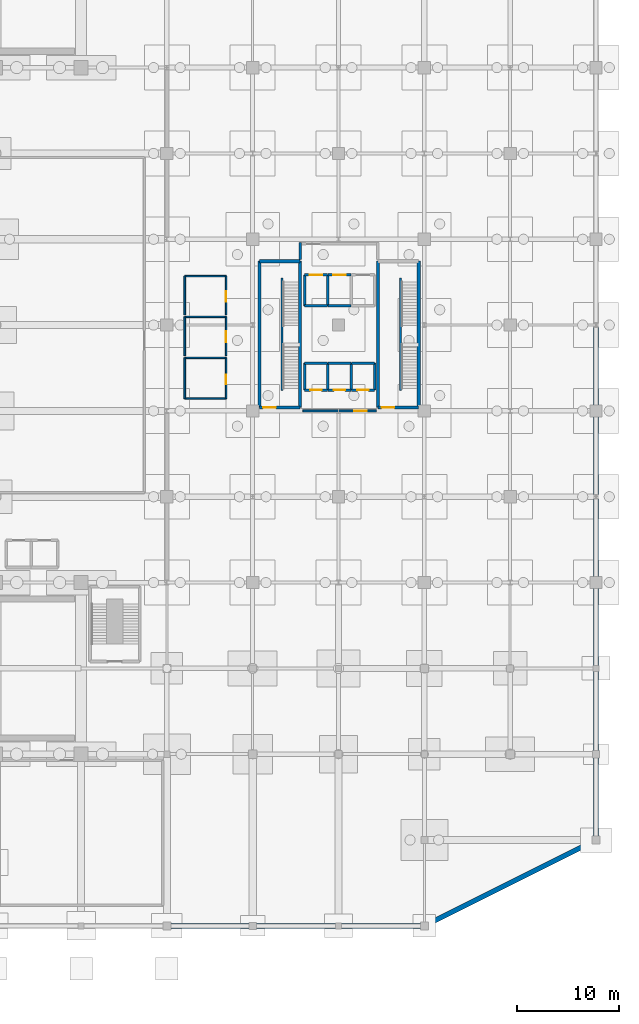
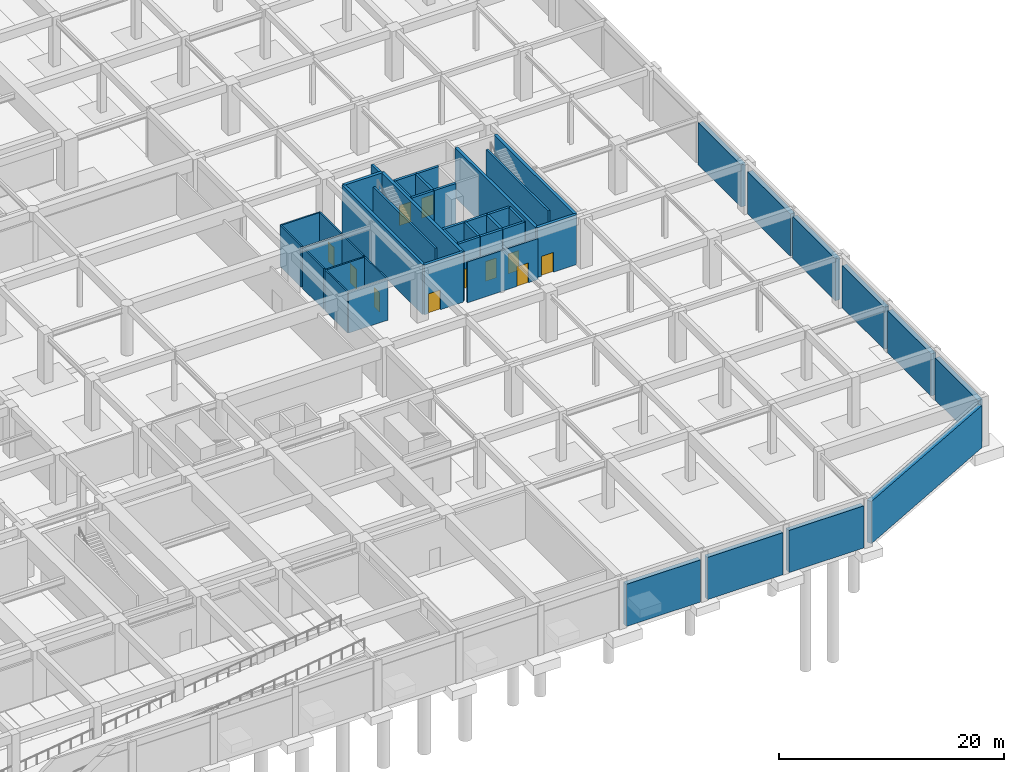
# One storey, part 23 of 26: 47 walls, 11 doors, 11 openings.
"""IFC4 building model written with IfcOpenShell, lengths in metres."""

from ifc_helpers import new_model, si_unit, direction, frame, frame_2d, origin, place, context, subcontext, project, spatial, rectangle, extrude, material, layer, layer_set, type_object, element, fill, save


model = new_model("IFC4")

# Units and contexts
model_context = context("Model", 3, precision=1e-05, world=origin(), true_north=direction((0.0, 1.0)))
body_context = subcontext(model_context, "Body", "Model", "MODEL_VIEW")
ifc_project = project(units=[si_unit("LENGTHUNIT", "METRE"), si_unit("AREAUNIT", "SQUARE_METRE"), si_unit("VOLUMEUNIT", "CUBIC_METRE"), si_unit("PLANEANGLEUNIT", "RADIAN"), si_unit("MASSUNIT", "GRAM", prefix="KILO")], contexts=[model_context])

# Site, building, storey
site_placement = place(None, origin())
site = spatial("IfcSite", under=ifc_project, at=site_placement, CompositionType="ELEMENT")
building_placement = place(site_placement, origin())
building = spatial("IfcBuilding", under=site, at=building_placement, Name="Xuanlan Plaza Opera House", CompositionType="ELEMENT")
storey_placement = place(building_placement, frame((0.0, 0.0, -5.39990234375)))
storey = spatial("IfcBuildingStorey", under=building, at=storey_placement, Name="B01", CompositionType="ELEMENT", Elevation=-5.39990234375)

# Walls
ifc_material_1 = material(Name="Concrete C50", Category="concrete")
ifc_layer_1 = layer(ifc_material_1, 0.47998046875)
ifc_layer_set_1 = layer_set([ifc_layer_1], Name="Concrete C50")
wall_type_1 = type_object("IfcWallType", Name="ENV-WL-EW-B01", PredefinedType="SHEAR", material=ifc_layer_set_1)
wall_1_placement = place(storey_placement, frame((126.39990234375, 0.0, 0.0), z_axis=(0.0, 0.0, 1.0), x_axis=(1.0, 0.0, 0.0)))
element("IfcWall", 1, at=wall_1_placement, inside=storey, type_object=wall_type_1, Name="Exterior Wall B01-014", PredefinedType="SHEAR", context=body_context, shape_type="SweptSolid", body=[
    extrude(rectangle(XDim=7.650146484375, YDim=0.47998046875, at=frame_2d((3.8251953125, 0.0))), origin(), (0.0, 0.0, 1.0), 4.579833984375),
])
wall_2_placement = place(storey_placement, frame((134.75, 0.0, 0.0), z_axis=(0.0, 0.0, 1.0), x_axis=(1.0, 0.0, 0.0)))
element("IfcWall", 2, at=wall_2_placement, inside=storey, type_object=wall_type_1, Name="Exterior Wall B01-015", PredefinedType="SHEAR", context=body_context, shape_type="SweptSolid", body=[
    extrude(rectangle(XDim=7.75, YDim=0.47998046875, at=frame_2d((3.875, 0.0))), origin(), (0.0, 0.0, 1.0), 4.579833984375),
])
wall_3_placement = place(storey_placement, frame((143.10009765625, 0.0, 0.0), z_axis=(0.0, 0.0, 1.0), x_axis=(1.0, 0.0, 0.0)))
element("IfcWall", 3, at=wall_3_placement, inside=storey, type_object=wall_type_1, Name="Exterior Wall B01-016", PredefinedType="SHEAR", context=body_context, shape_type="SweptSolid", body=[
    extrude(rectangle(XDim=7.699951171875, YDim=0.47998046875, at=frame_2d((3.85009765625, 0.0))), origin(), (0.0, 0.0, 1.0), 4.579833984375),
])
wall_4_placement = place(storey_placement, frame((151.60009765625, 0.199951171875, 0.0), z_axis=(0.0, 0.0, 1.0), x_axis=(0.894427191, 0.4472135955, 0.0)))
element("IfcWall", 4, at=wall_4_placement, inside=storey, type_object=wall_type_1, Name="Exterior Wall B01-017", PredefinedType="SHEAR", context=body_context, shape_type="SweptSolid", body=[
    extrude(rectangle(XDim=17.888427734375, YDim=0.47998046875, at=frame_2d((8.9443359375, 0.0))), origin(), (0.0, 0.0, 1.0), 4.579833984375),
])
wall_5_placement = place(storey_placement, frame((168.0, 8.800048828125, 0.0), z_axis=(0.0, 0.0, 1.0), x_axis=(0.0, 1.0, 0.0)))
element("IfcWall", 5, at=wall_5_placement, inside=storey, type_object=wall_type_1, Name="Exterior Wall B01-018", PredefinedType="SHEAR", context=body_context, shape_type="SweptSolid", body=[
    extrude(rectangle(XDim=7.64990234375, YDim=0.47998046875, at=frame_2d((3.824951171875, 0.0))), origin(), (0.0, 0.0, 1.0), 4.579833984375),
])
wall_6_placement = place(storey_placement, frame((168.0, 17.14990234375, 0.0), z_axis=(0.0, 0.0, 1.0), x_axis=(0.0, 1.0, 0.0)))
element("IfcWall", 6, at=wall_6_placement, inside=storey, type_object=wall_type_1, Name="Exterior Wall B01-019", PredefinedType="SHEAR", context=body_context, shape_type="SweptSolid", body=[
    extrude(rectangle(XDim=7.75, YDim=0.47998046875, at=frame_2d((3.875, 0.0))), origin(), (0.0, 0.0, 1.0), 4.579833984375),
])
wall_7_placement = place(storey_placement, frame((168.0, 25.5, 0.0), z_axis=(0.0, 0.0, 1.0), x_axis=(0.0, 1.0, 0.0)))
element("IfcWall", 7, at=wall_7_placement, inside=storey, type_object=wall_type_1, Name="Exterior Wall B01-020", PredefinedType="SHEAR", context=body_context, shape_type="SweptSolid", body=[
    extrude(rectangle(XDim=7.5, YDim=0.47998046875, at=frame_2d((3.75, 0.0))), origin(), (0.0, 0.0, 1.0), 4.579833984375),
])
for number, where, z_axis, x_axis, name in (
    (8, (168.0, 34.199951171875, 0.0), (0.0, 0.0, 1.0), (0.0, 1.0, 0.0), "Exterior Wall B01-021"),
    (9, (168.0, 42.20703125, 0.0), (0.0, 0.0, 1.0), (0.0, 1.0, 0.0), "Exterior Wall B01-022"),
    (10, (168.0, 51.0, 0.0), (0.0, 0.0, 1.0), (0.0, 1.0, 0.0), "Exterior Wall B01-023"),
):
    element("IfcWall", number, at=place(storey_placement, frame(where, z_axis=z_axis, x_axis=x_axis)), inside=storey, type_object=wall_type_1, Name=name, PredefinedType="SHEAR", context=body_context, shape_type="SweptSolid", body=[
        extrude(rectangle(XDim=7.593017578125, YDim=0.47998046875, at=frame_2d((3.79638671875, 0.0))), origin(), (0.0, 0.0, 1.0), 4.579833984375),
    ])

# Wall, opening, door
ifc_material_2 = material(Name="Gypsum Board and Galvanised Steel Studs", Category="gypsum")
ifc_layer_2 = layer(ifc_material_2, 0.179931640625)
ifc_layer_set_2 = layer_set([ifc_layer_2], Name="Gypsum Board and Galvanised Steel Studs")
wall_type_2 = type_object("IfcWallType", Name="INT-WL-PW-02", PredefinedType="PARTITIONING", material=ifc_layer_set_2)
wall_8_placement = place(storey_placement, frame((139.300048828125, 50.39990234375, 0.0), z_axis=(0.0, 0.0, 1.0), x_axis=(1.0, 0.0, 0.0)))
wall_8 = element("IfcWall", 11, at=wall_8_placement, inside=storey, type_object=wall_type_2, Name="Tower Lift Lobby Wall South", PredefinedType="PARTITIONING", context=body_context, shape_type="SweptSolid", body=[
    extrude(rectangle(XDim=7.199951171875, YDim=0.179931640625, at=frame_2d((3.60009765625, 0.0))), origin(), (0.0, 0.0, 1.0), 4.43994140625),
])
opening_1_placement = place(wall_8_placement, frame((5.050048828125, 0.0, 0.0)))
opening_1 = element("IfcOpeningElement", 12, at=opening_1_placement, cuts=wall_8, Name="Opening FD-02", PredefinedType="OPENING", context=body_context, shape_type="SweptSolid", body=[
    extrude(rectangle(XDim=1.199951171875, YDim=2.14990234375, at=frame_2d((0.60009765625, 1.074951171875))), frame((0.0, 0.099853515625, 0.0), z_axis=(0.0, -1.0, 0.0), x_axis=(1.0, 0.0, 0.0)), (0.0, 0.0, 1.0), 0.199951171875),
])
ifc_material_3 = material(Name="Galvanised Steel Q235B", Category="steel")
door_type_1 = type_object("IfcDoorType", Name="INT-DR-FD-02", OperationType="NOTDEFINED", PredefinedType="DOOR", material=ifc_material_3)
door_1_placement = place(opening_1_placement, frame((1.199951171875, 0.0, 0.0), z_axis=(0.0, 0.0, 1.0), x_axis=(-1.0, 0.0, 0.0)))
door_1 = element("IfcDoor", 13, at=door_1_placement, inside=storey, type_object=door_type_1, Name="Tower Lift Lobby Door 1", OperationType="SINGLE_SWING_RIGHT", OverallHeight=2.14990234375, OverallWidth=1.199951171875, PredefinedType="DOOR", context=body_context, shape_type="SweptSolid", body=[
    extrude(rectangle(XDim=1.199951171875, YDim=2.14990234375, at=frame_2d((0.60009765625, 1.074951171875))), frame((0.0, 0.02490234375, 0.0), z_axis=(0.0, -1.0, 0.0), x_axis=(1.0, 0.0, 0.0)), (0.0, 0.0, 1.0), 0.050048828125),
])
fill(opening_1, door_1)

# Walls
ifc_material_4 = material(Name="Autoclaved Aerated Blockwork Masonry", Category="masonry")
ifc_layer_3 = layer(ifc_material_4, 0.14990234375)
ifc_layer_set_3 = layer_set([ifc_layer_3], Name="Autoclaved Aerated Blockwork Masonry")
wall_type_3 = type_object("IfcWallType", Name="INT-WL-PW-03", PredefinedType="PARTITIONING", material=ifc_layer_set_3)
for number, where, z_axis, x_axis, name in (
    (14, (127.75, 51.60009765625, 0.0), (0.0, 0.0, 1.0), (1.0, 0.0, 0.0), "Public WC Wall South"),
    (15, (127.75, 55.60009765625, 0.0), (0.0, 0.0, 1.0), (1.0, 0.0, 0.0), "Public WC Wall North"),
):
    element("IfcWall", number, at=place(storey_placement, frame(where, z_axis=z_axis, x_axis=x_axis)), inside=storey, type_object=wall_type_3, Name=name, PredefinedType="PARTITIONING", context=body_context, shape_type="SweptSolid", body=[
        extrude(rectangle(XDim=4.050048828125, YDim=0.14990234375, at=frame_2d((2.02490234375, 0.0))), origin(), (0.0, 0.0, 1.0), 4.43994140625),
    ])
wall_9_placement = place(storey_placement, frame((127.75, 51.60009765625, 0.0), z_axis=(0.0, 0.0, 1.0), x_axis=(0.0, 1.0, 0.0)))
element("IfcWall", 16, at=wall_9_placement, inside=storey, type_object=wall_type_3, Name="Public WC Wall West", PredefinedType="PARTITIONING", context=body_context, shape_type="SweptSolid", body=[
    extrude(rectangle(XDim=4.0, YDim=0.14990234375, at=frame_2d((2.0, 0.0))), origin(), (0.0, 0.0, 1.0), 4.43994140625),
])

# Wall, opening, door
wall_10_placement = place(storey_placement, frame((131.800048828125, 51.60009765625, 0.0), z_axis=(0.0, 0.0, 1.0), x_axis=(0.0, 1.0, 0.0)))
wall_10 = element("IfcWall", 17, at=wall_10_placement, inside=storey, type_object=wall_type_3, Name="Public WC Wall East", PredefinedType="PARTITIONING", context=body_context, shape_type="SweptSolid", body=[
    extrude(rectangle(XDim=4.0, YDim=0.14990234375, at=frame_2d((2.0, 0.0))), origin(), (0.0, 0.0, 1.0), 4.43994140625),
])
opening_2_placement = place(wall_10_placement, frame((1.39990234375, 0.0, 0.0)))
opening_2 = element("IfcOpeningElement", 18, at=opening_2_placement, cuts=wall_10, Name="Opening D-01", PredefinedType="OPENING", context=body_context, shape_type="SweptSolid", body=[
    extrude(rectangle(XDim=0.949951171875, YDim=2.10009765625, at=frame_2d((0.47509765625, 1.050048828125))), frame((0.0, 0.0849609375, 0.0), z_axis=(0.0, -1.0, 0.0), x_axis=(1.0, 0.0, 0.0)), (0.0, 0.0, 1.0), 0.169921875),
])
ifc_material_5 = material(Name="Walnut Hardwood Timber", Category="wood")
door_type_2 = type_object("IfcDoorType", Name="INT-DR-D-01", OperationType="NOTDEFINED", PredefinedType="DOOR", material=ifc_material_5)
door_2_placement = place(opening_2_placement, origin())
door_2 = element("IfcDoor", 19, at=door_2_placement, inside=storey, type_object=door_type_2, Name="Public WC Door 1", OperationType="SINGLE_SWING_RIGHT", OverallHeight=2.10009765625, OverallWidth=0.949951171875, PredefinedType="DOOR", context=body_context, shape_type="SweptSolid", body=[
    extrude(rectangle(XDim=0.949951171875, YDim=2.10009765625, at=frame_2d((0.47509765625, 1.050048828125))), frame((0.0, 0.02490234375, 0.0), z_axis=(0.0, -1.0, 0.0), x_axis=(1.0, 0.0, 0.0)), (0.0, 0.0, 1.0), 0.050048828125),
])
fill(opening_2, door_2)

# Walls
wall_11_placement = place(storey_placement, frame((127.75, 59.60009765625, 0.0), z_axis=(0.0, 0.0, 1.0), x_axis=(1.0, 0.0, 0.0)))
element("IfcWall", 20, at=wall_11_placement, inside=storey, type_object=wall_type_3, Name="Staff WC Wall North", PredefinedType="PARTITIONING", context=body_context, shape_type="SweptSolid", body=[
    extrude(rectangle(XDim=4.050048828125, YDim=0.14990234375, at=frame_2d((2.02490234375, 0.0))), origin(), (0.0, 0.0, 1.0), 4.43994140625),
])
wall_12_placement = place(storey_placement, frame((127.75, 55.800048828125, 0.0), z_axis=(0.0, 0.0, 1.0), x_axis=(0.0, 1.0, 0.0)))
element("IfcWall", 21, at=wall_12_placement, inside=storey, type_object=wall_type_3, Name="Staff WC Wall West", PredefinedType="PARTITIONING", context=body_context, shape_type="SweptSolid", body=[
    extrude(rectangle(XDim=3.800048828125, YDim=0.14990234375, at=frame_2d((1.89990234375, 0.0))), origin(), (0.0, 0.0, 1.0), 4.43994140625),
])

# Wall, opening, door
wall_13_placement = place(storey_placement, frame((131.800048828125, 55.800048828125, 0.0), z_axis=(0.0, 0.0, 1.0), x_axis=(0.0, 1.0, 0.0)))
wall_13 = element("IfcWall", 22, at=wall_13_placement, inside=storey, type_object=wall_type_3, Name="Staff WC Wall East", PredefinedType="PARTITIONING", context=body_context, shape_type="SweptSolid", body=[
    extrude(rectangle(XDim=3.800048828125, YDim=0.14990234375, at=frame_2d((1.89990234375, 0.0))), origin(), (0.0, 0.0, 1.0), 4.43994140625),
])
opening_3_placement = place(wall_13_placement, frame((1.300048828125, 0.0, 0.0)))
opening_3 = element("IfcOpeningElement", 23, at=opening_3_placement, cuts=wall_13, Name="Opening D-10", PredefinedType="OPENING", context=body_context, shape_type="SweptSolid", body=[
    extrude(rectangle(XDim=1.1201171875, YDim=2.139892578125, at=frame_2d((0.56005859375, 1.06982421875))), frame((0.0, 0.0849609375, 0.0), z_axis=(0.0, -1.0, 0.0), x_axis=(1.0, 0.0, 0.0)), (0.0, 0.0, 1.0), 0.169921875),
])
ifc_material_6 = material(Name="Oak Hardwood Timber", Category="wood")
door_type_3 = type_object("IfcDoorType", Name="INT-DR-D-10", OperationType="NOTDEFINED", PredefinedType="DOOR", material=ifc_material_6)
door_3_placement = place(opening_3_placement, origin())
door_3 = element("IfcDoor", 24, at=door_3_placement, inside=storey, type_object=door_type_3, Name="Staff WC Door 1", OperationType="SINGLE_SWING_LEFT", OverallHeight=2.139892578125, OverallWidth=1.1201171875, PredefinedType="DOOR", context=body_context, shape_type="SweptSolid", body=[
    extrude(rectangle(XDim=1.1201171875, YDim=2.139892578125, at=frame_2d((0.56005859375, 1.06982421875))), frame((0.0, 0.02490234375, 0.0), z_axis=(0.0, -1.0, 0.0), x_axis=(1.0, 0.0, 0.0)), (0.0, 0.0, 1.0), 0.050048828125),
])
fill(opening_3, door_3)

# Walls
wall_14_placement = place(storey_placement, frame((127.75, 63.60009765625, 0.0), z_axis=(0.0, 0.0, 1.0), x_axis=(1.0, 0.0, 0.0)))
element("IfcWall", 25, at=wall_14_placement, inside=storey, type_object=wall_type_3, Name="Accessible WC Wall North", PredefinedType="PARTITIONING", context=body_context, shape_type="SweptSolid", body=[
    extrude(rectangle(XDim=4.050048828125, YDim=0.14990234375, at=frame_2d((2.02490234375, 0.0))), origin(), (0.0, 0.0, 1.0), 4.43994140625),
])
wall_15_placement = place(storey_placement, frame((127.75, 59.800048828125, 0.0), z_axis=(0.0, 0.0, 1.0), x_axis=(0.0, 1.0, 0.0)))
element("IfcWall", 26, at=wall_15_placement, inside=storey, type_object=wall_type_3, Name="Accessible WC Wall West", PredefinedType="PARTITIONING", context=body_context, shape_type="SweptSolid", body=[
    extrude(rectangle(XDim=3.800048828125, YDim=0.14990234375, at=frame_2d((1.89990234375, 0.0))), origin(), (0.0, 0.0, 1.0), 4.43994140625),
])

# Wall, opening, door
wall_16_placement = place(storey_placement, frame((131.800048828125, 59.800048828125, 0.0), z_axis=(0.0, 0.0, 1.0), x_axis=(0.0, 1.0, 0.0)))
wall_16 = element("IfcWall", 27, at=wall_16_placement, inside=storey, type_object=wall_type_3, Name="Accessible WC Wall East", PredefinedType="PARTITIONING", context=body_context, shape_type="SweptSolid", body=[
    extrude(rectangle(XDim=3.800048828125, YDim=0.14990234375, at=frame_2d((1.89990234375, 0.0))), origin(), (0.0, 0.0, 1.0), 4.43994140625),
])
opening_4_placement = place(wall_16_placement, frame((1.300048828125, 0.0, 0.0)))
opening_4 = element("IfcOpeningElement", 28, at=opening_4_placement, cuts=wall_16, Name="Opening D-02", PredefinedType="OPENING", context=body_context, shape_type="SweptSolid", body=[
    extrude(rectangle(XDim=1.02001953125, YDim=2.10009765625, at=frame_2d((0.510009765625, 1.050048828125))), frame((0.0, 0.0849609375, 0.0), z_axis=(0.0, -1.0, 0.0), x_axis=(1.0, 0.0, 0.0)), (0.0, 0.0, 1.0), 0.169921875),
])
door_type_4 = type_object("IfcDoorType", Name="INT-DR-D-02", OperationType="NOTDEFINED", PredefinedType="DOOR", material=ifc_material_6)
door_4_placement = place(opening_4_placement, origin())
door_4 = element("IfcDoor", 29, at=door_4_placement, inside=storey, type_object=door_type_4, Name="Accessible WC Door 1", OperationType="SINGLE_SWING_RIGHT", OverallHeight=2.10009765625, OverallWidth=1.02001953125, PredefinedType="DOOR", context=body_context, shape_type="SweptSolid", body=[
    extrude(rectangle(XDim=1.02001953125, YDim=2.10009765625, at=frame_2d((0.510009765625, 1.050048828125))), frame((0.0, 0.02490234375, 0.0), z_axis=(0.0, -1.0, 0.0), x_axis=(1.0, 0.0, 0.0)), (0.0, 0.0, 1.0), 0.050048828125),
])
fill(opening_4, door_4)

# Wall
ifc_material_7 = material(Name="Concrete C40", Category="concrete")
ifc_layer_4 = layer(ifc_material_7, 0.25)
ifc_layer_set_4 = layer_set([ifc_layer_4], Name="Concrete C40")
wall_type_4 = type_object("IfcWallType", Name="INT-WL-SW-LF1", PredefinedType="SHEAR", material=ifc_layer_set_4)
wall_17_placement = place(storey_placement, frame((139.47509765625, 60.675048828125, 0.0), z_axis=(0.0, 0.0, 1.0), x_axis=(1.0, 0.0, 0.0)))
element("IfcWall", 30, at=wall_17_placement, inside=storey, type_object=wall_type_4, Name="Lift Shaft Wall LF-FF1 B01 South", PredefinedType="SHEAR", context=body_context, shape_type="SweptSolid", body=[
    extrude(rectangle(XDim=2.25, YDim=0.25, at=frame_2d((1.125, 0.0))), origin(), (0.0, 0.0, 1.0), 5.099853515625),
])

# Wall, opening, door
wall_18_placement = place(storey_placement, frame((139.47509765625, 63.72509765625, 0.0), z_axis=(0.0, 0.0, 1.0), x_axis=(1.0, 0.0, 0.0)))
wall_18 = element("IfcWall", 31, at=wall_18_placement, inside=storey, type_object=wall_type_4, Name="Lift Shaft Wall LF-FF1 B01 North", PredefinedType="SHEAR", context=body_context, shape_type="SweptSolid", body=[
    extrude(rectangle(XDim=2.25, YDim=0.25, at=frame_2d((1.125, 0.0))), origin(), (0.0, 0.0, 1.0), 5.099853515625),
])
opening_5_placement = place(wall_18_placement, frame((0.52490234375, 0.0, 0.0)))
opening_5 = element("IfcOpeningElement", 32, at=opening_5_placement, cuts=wall_18, Name="Opening LD-FF1-B01", PredefinedType="OPENING", context=body_context, shape_type="SweptSolid", body=[
    extrude(rectangle(XDim=1.199951171875, YDim=2.179931640625, at=frame_2d((0.60009765625, 1.08984375))), frame((0.0, 0.135009765625, 0.0), z_axis=(0.0, -1.0, 0.0), x_axis=(1.0, 0.0, 0.0)), (0.0, 0.0, 1.0), 0.27001953125),
])
ifc_material_8 = material(Name="Stainless Steel S30408", Category="steel")
door_type_5 = type_object("IfcDoorType", Name="INT-DR-LD-02", OperationType="DOUBLE_DOOR_SLIDING", PredefinedType="DOOR", material=ifc_material_8)
door_5_placement = place(opening_5_placement, origin())
door_5 = element("IfcDoor", 33, at=door_5_placement, inside=storey, type_object=door_type_5, Name="Lift Sliding Landing Door LF-FF1 B01", OperationType="DOUBLE_DOOR_SLIDING", OverallHeight=2.179931640625, OverallWidth=1.199951171875, PredefinedType="DOOR", context=body_context, shape_type="SweptSolid", body=[
    extrude(rectangle(XDim=1.199951171875, YDim=2.179931640625, at=frame_2d((0.60009765625, 1.08984375))), frame((0.0, 0.02490234375, 0.0), z_axis=(0.0, -1.0, 0.0), x_axis=(1.0, 0.0, 0.0)), (0.0, 0.0, 1.0), 0.050048828125),
])
fill(opening_5, door_5)

# Walls
for number, where, z_axis, x_axis, name in (
    (34, (139.47509765625, 60.675048828125, 0.0), (0.0, 0.0, 1.0), (0.0, 1.0, 0.0), "Lift Shaft Wall LF-FF1 B01 West"),
    (35, (141.72509765625, 60.675048828125, 0.0), (0.0, 0.0, 1.0), (0.0, 1.0, 0.0), "Lift Shaft Wall LF-FF1 B01 East"),
):
    element("IfcWall", number, at=place(storey_placement, frame(where, z_axis=z_axis, x_axis=x_axis)), inside=storey, type_object=wall_type_4, Name=name, PredefinedType="SHEAR", context=body_context, shape_type="SweptSolid", body=[
        extrude(rectangle(XDim=3.050048828125, YDim=0.25, at=frame_2d((1.52490234375, 0.0))), origin(), (0.0, 0.0, 1.0), 5.099853515625),
    ])
wall_19_placement = place(storey_placement, frame((141.77490234375, 60.675048828125, 0.0), z_axis=(0.0, 0.0, 1.0), x_axis=(1.0, 0.0, 0.0)))
element("IfcWall", 36, at=wall_19_placement, inside=storey, type_object=wall_type_4, Name="Lift Shaft Wall LF-FF2 B01 South", PredefinedType="SHEAR", context=body_context, shape_type="SweptSolid", body=[
    extrude(rectangle(XDim=2.25, YDim=0.25, at=frame_2d((1.125, 0.0))), origin(), (0.0, 0.0, 1.0), 5.099853515625),
])

# Wall, opening, door
wall_20_placement = place(storey_placement, frame((141.77490234375, 63.72509765625, 0.0), z_axis=(0.0, 0.0, 1.0), x_axis=(1.0, 0.0, 0.0)))
wall_20 = element("IfcWall", 37, at=wall_20_placement, inside=storey, type_object=wall_type_4, Name="Lift Shaft Wall LF-FF2 B01 North", PredefinedType="SHEAR", context=body_context, shape_type="SweptSolid", body=[
    extrude(rectangle(XDim=2.25, YDim=0.25, at=frame_2d((1.125, 0.0))), origin(), (0.0, 0.0, 1.0), 5.099853515625),
])
opening_6_placement = place(wall_20_placement, frame((0.52490234375, 0.0, 0.0)))
opening_6 = element("IfcOpeningElement", 38, at=opening_6_placement, cuts=wall_20, Name="Opening LD-FF2-B01", PredefinedType="OPENING", context=body_context, shape_type="SweptSolid", body=[
    extrude(rectangle(XDim=1.199951171875, YDim=2.179931640625, at=frame_2d((0.60009765625, 1.08984375))), frame((0.0, 0.135009765625, 0.0), z_axis=(0.0, -1.0, 0.0), x_axis=(1.0, 0.0, 0.0)), (0.0, 0.0, 1.0), 0.27001953125),
])
door_6_placement = place(opening_6_placement, origin())
door_6 = element("IfcDoor", 39, at=door_6_placement, inside=storey, type_object=door_type_5, Name="Lift Sliding Landing Door LF-FF2 B01", OperationType="DOUBLE_DOOR_SLIDING", OverallHeight=2.179931640625, OverallWidth=1.199951171875, PredefinedType="DOOR", context=body_context, shape_type="SweptSolid", body=[
    extrude(rectangle(XDim=1.199951171875, YDim=2.179931640625, at=frame_2d((0.60009765625, 1.08984375))), frame((0.0, 0.02490234375, 0.0), z_axis=(0.0, -1.0, 0.0), x_axis=(1.0, 0.0, 0.0)), (0.0, 0.0, 1.0), 0.050048828125),
])
fill(opening_6, door_6)

wall_21_placement = place(storey_placement, frame((139.47509765625, 52.425048828125, 0.0), z_axis=(0.0, 0.0, 1.0), x_axis=(1.0, 0.0, 0.0)))
wall_21 = element("IfcWall", 40, at=wall_21_placement, inside=storey, type_object=wall_type_4, Name="Lift Shaft Wall LF-P1 B01 South", PredefinedType="SHEAR", context=body_context, shape_type="SweptSolid", body=[
    extrude(rectangle(XDim=2.25, YDim=0.25, at=frame_2d((1.125, 0.0))), origin(), (0.0, 0.0, 1.0), 5.099853515625),
])
opening_7_placement = place(wall_21_placement, frame((0.574951171875, 0.0, 0.0)))
opening_7 = element("IfcOpeningElement", 41, at=opening_7_placement, cuts=wall_21, Name="Opening LD-P1-B01", PredefinedType="OPENING", context=body_context, shape_type="SweptSolid", body=[
    extrude(rectangle(XDim=1.10009765625, YDim=2.14990234375, at=frame_2d((0.550048828125, 1.074951171875))), frame((0.0, 0.135009765625, 0.0), z_axis=(0.0, -1.0, 0.0), x_axis=(1.0, 0.0, 0.0)), (0.0, 0.0, 1.0), 0.27001953125),
])
door_type_6 = type_object("IfcDoorType", Name="INT-DR-LD-01", OperationType="DOUBLE_DOOR_SLIDING", PredefinedType="DOOR", material=ifc_material_8)
door_7_placement = place(opening_7_placement, origin())
door_7 = element("IfcDoor", 42, at=door_7_placement, inside=storey, type_object=door_type_6, Name="Lift Sliding Landing Door LF-P1 B01", OperationType="DOUBLE_DOOR_SLIDING", OverallHeight=2.14990234375, OverallWidth=1.10009765625, PredefinedType="DOOR", context=body_context, shape_type="SweptSolid", body=[
    extrude(rectangle(XDim=1.10009765625, YDim=2.14990234375, at=frame_2d((0.550048828125, 1.074951171875))), frame((0.0, 0.02490234375, 0.0), z_axis=(0.0, -1.0, 0.0), x_axis=(1.0, 0.0, 0.0)), (0.0, 0.0, 1.0), 0.050048828125),
])
fill(opening_7, door_7)

# Walls
wall_22_placement = place(storey_placement, frame((139.47509765625, 55.074951171875, 0.0), z_axis=(0.0, 0.0, 1.0), x_axis=(1.0, 0.0, 0.0)))
element("IfcWall", 43, at=wall_22_placement, inside=storey, type_object=wall_type_4, Name="Lift Shaft Wall LF-P1 B01 North", PredefinedType="SHEAR", context=body_context, shape_type="SweptSolid", body=[
    extrude(rectangle(XDim=2.25, YDim=0.25, at=frame_2d((1.125, 0.0))), origin(), (0.0, 0.0, 1.0), 5.099853515625),
])
for number, where, z_axis, x_axis, name in (
    (44, (139.47509765625, 52.425048828125, 0.0), (0.0, 0.0, 1.0), (0.0, 1.0, 0.0), "Lift Shaft Wall LF-P1 B01 West"),
    (45, (141.72509765625, 52.425048828125, 0.0), (0.0, 0.0, 1.0), (0.0, 1.0, 0.0), "Lift Shaft Wall LF-P1 B01 East"),
):
    element("IfcWall", number, at=place(storey_placement, frame(where, z_axis=z_axis, x_axis=x_axis)), inside=storey, type_object=wall_type_4, Name=name, PredefinedType="SHEAR", context=body_context, shape_type="SweptSolid", body=[
        extrude(rectangle(XDim=2.64990234375, YDim=0.25, at=frame_2d((1.324951171875, 0.0))), origin(), (0.0, 0.0, 1.0), 5.099853515625),
    ])

# Wall, opening, door
wall_23_placement = place(storey_placement, frame((141.77490234375, 52.425048828125, 0.0), z_axis=(0.0, 0.0, 1.0), x_axis=(1.0, 0.0, 0.0)))
wall_23 = element("IfcWall", 46, at=wall_23_placement, inside=storey, type_object=wall_type_4, Name="Lift Shaft Wall LF-P2 B01 South", PredefinedType="SHEAR", context=body_context, shape_type="SweptSolid", body=[
    extrude(rectangle(XDim=2.25, YDim=0.25, at=frame_2d((1.125, 0.0))), origin(), (0.0, 0.0, 1.0), 5.099853515625),
])
opening_8_placement = place(wall_23_placement, frame((0.574951171875, 0.0, 0.0)))
opening_8 = element("IfcOpeningElement", 47, at=opening_8_placement, cuts=wall_23, Name="Opening LD-P2-B01", PredefinedType="OPENING", context=body_context, shape_type="SweptSolid", body=[
    extrude(rectangle(XDim=1.10009765625, YDim=2.14990234375, at=frame_2d((0.550048828125, 1.074951171875))), frame((0.0, 0.135009765625, 0.0), z_axis=(0.0, -1.0, 0.0), x_axis=(1.0, 0.0, 0.0)), (0.0, 0.0, 1.0), 0.27001953125),
])
door_8_placement = place(opening_8_placement, origin())
door_8 = element("IfcDoor", 48, at=door_8_placement, inside=storey, type_object=door_type_6, Name="Lift Sliding Landing Door LF-P2 B01", OperationType="DOUBLE_DOOR_SLIDING", OverallHeight=2.14990234375, OverallWidth=1.10009765625, PredefinedType="DOOR", context=body_context, shape_type="SweptSolid", body=[
    extrude(rectangle(XDim=1.10009765625, YDim=2.14990234375, at=frame_2d((0.550048828125, 1.074951171875))), frame((0.0, 0.02490234375, 0.0), z_axis=(0.0, -1.0, 0.0), x_axis=(1.0, 0.0, 0.0)), (0.0, 0.0, 1.0), 0.050048828125),
])
fill(opening_8, door_8)

# Walls
wall_24_placement = place(storey_placement, frame((141.77490234375, 55.074951171875, 0.0), z_axis=(0.0, 0.0, 1.0), x_axis=(1.0, 0.0, 0.0)))
element("IfcWall", 49, at=wall_24_placement, inside=storey, type_object=wall_type_4, Name="Lift Shaft Wall LF-P2 B01 North", PredefinedType="SHEAR", context=body_context, shape_type="SweptSolid", body=[
    extrude(rectangle(XDim=2.25, YDim=0.25, at=frame_2d((1.125, 0.0))), origin(), (0.0, 0.0, 1.0), 5.099853515625),
])
wall_25_placement = place(storey_placement, frame((144.02490234375, 52.425048828125, 0.0), z_axis=(0.0, 0.0, 1.0), x_axis=(0.0, 1.0, 0.0)))
element("IfcWall", 50, at=wall_25_placement, inside=storey, type_object=wall_type_4, Name="Lift Shaft Wall LF-P2 B01 East", PredefinedType="SHEAR", context=body_context, shape_type="SweptSolid", body=[
    extrude(rectangle(XDim=2.64990234375, YDim=0.25, at=frame_2d((1.324951171875, 0.0))), origin(), (0.0, 0.0, 1.0), 5.099853515625),
])

# Wall, opening, door
wall_26_placement = place(storey_placement, frame((144.074951171875, 52.425048828125, 0.0), z_axis=(0.0, 0.0, 1.0), x_axis=(1.0, 0.0, 0.0)))
wall_26 = element("IfcWall", 51, at=wall_26_placement, inside=storey, type_object=wall_type_4, Name="Lift Shaft Wall LF-P3 B01 South", PredefinedType="SHEAR", context=body_context, shape_type="SweptSolid", body=[
    extrude(rectangle(XDim=2.25, YDim=0.25, at=frame_2d((1.125, 0.0))), origin(), (0.0, 0.0, 1.0), 5.099853515625),
])
opening_9_placement = place(wall_26_placement, frame((0.574951171875, 0.0, 0.0)))
opening_9 = element("IfcOpeningElement", 52, at=opening_9_placement, cuts=wall_26, Name="Opening LD-P3-B01", PredefinedType="OPENING", context=body_context, shape_type="SweptSolid", body=[
    extrude(rectangle(XDim=1.10009765625, YDim=2.14990234375, at=frame_2d((0.550048828125, 1.074951171875))), frame((0.0, 0.135009765625, 0.0), z_axis=(0.0, -1.0, 0.0), x_axis=(1.0, 0.0, 0.0)), (0.0, 0.0, 1.0), 0.27001953125),
])
door_9_placement = place(opening_9_placement, origin())
door_9 = element("IfcDoor", 53, at=door_9_placement, inside=storey, type_object=door_type_6, Name="Lift Sliding Landing Door LF-P3 B01", OperationType="DOUBLE_DOOR_SLIDING", OverallHeight=2.14990234375, OverallWidth=1.10009765625, PredefinedType="DOOR", context=body_context, shape_type="SweptSolid", body=[
    extrude(rectangle(XDim=1.10009765625, YDim=2.14990234375, at=frame_2d((0.550048828125, 1.074951171875))), frame((0.0, 0.02490234375, 0.0), z_axis=(0.0, -1.0, 0.0), x_axis=(1.0, 0.0, 0.0)), (0.0, 0.0, 1.0), 0.050048828125),
])
fill(opening_9, door_9)

# Walls
wall_27_placement = place(storey_placement, frame((144.074951171875, 55.074951171875, 0.0), z_axis=(0.0, 0.0, 1.0), x_axis=(1.0, 0.0, 0.0)))
element("IfcWall", 54, at=wall_27_placement, inside=storey, type_object=wall_type_4, Name="Lift Shaft Wall LF-P3 B01 North", PredefinedType="SHEAR", context=body_context, shape_type="SweptSolid", body=[
    extrude(rectangle(XDim=2.25, YDim=0.25, at=frame_2d((1.125, 0.0))), origin(), (0.0, 0.0, 1.0), 5.099853515625),
])
wall_28_placement = place(storey_placement, frame((146.324951171875, 52.425048828125, 0.0), z_axis=(0.0, 0.0, 1.0), x_axis=(0.0, 1.0, 0.0)))
element("IfcWall", 55, at=wall_28_placement, inside=storey, type_object=wall_type_4, Name="Lift Shaft Wall LF-P3 B01 East", PredefinedType="SHEAR", context=body_context, shape_type="SweptSolid", body=[
    extrude(rectangle(XDim=2.64990234375, YDim=0.25, at=frame_2d((1.324951171875, 0.0))), origin(), (0.0, 0.0, 1.0), 5.099853515625),
])
wall_29_placement = place(storey_placement, frame((139.074951171875, 65.199951171875, 0.0), z_axis=(0.0, 0.0, 1.0), x_axis=(0.0, 1.0, 0.0)))
element("IfcWall", 56, at=wall_29_placement, inside=storey, type_object=wall_type_4, Name="Firefighting Lift Lobby Enclosure Wall B01 W", PredefinedType="SHEAR", context=body_context, shape_type="SweptSolid", body=[
    extrude(rectangle(XDim=1.675048828125, YDim=0.25, at=frame_2d((0.83740234375, 0.0))), origin(), (0.0, 0.0, 1.0), 5.099853515625),
])
ifc_layer_5 = layer(ifc_material_7, 0.199951171875)
ifc_layer_set_5 = layer_set([ifc_layer_5], Name="Concrete C40")
wall_type_5 = type_object("IfcWallType", Name="INT-WL-SW-SPN", PredefinedType="SHEAR", material=ifc_layer_set_5)
for number, where, z_axis, x_axis, name in (
    (57, (137.25, 52.39990234375, 0.0), (0.0, 0.0, 1.0), (0.0, 1.0, 0.0), "Stair Structural Spine Wall ST-T1 B01"),
    (58, (148.85009765625, 52.39990234375, 0.0), (0.0, 0.0, 1.0), (0.0, 1.0, 0.0), "Stair Structural Spine Wall ST-T2 B01"),
):
    element("IfcWall", number, at=place(storey_placement, frame(where, z_axis=z_axis, x_axis=x_axis)), inside=storey, type_object=wall_type_5, Name=name, PredefinedType="SHEAR", context=body_context, shape_type="SweptSolid", body=[
        extrude(rectangle(XDim=11.0, YDim=0.199951171875, at=frame_2d((5.5, 0.0))), origin(), (0.0, 0.0, 1.0), 5.39990234375),
    ])

# Wall, opening, door
ifc_layer_6 = layer(ifc_material_7, 0.300048828125)
ifc_layer_set_6 = layer_set([ifc_layer_6], Name="Concrete C40")
wall_type_6 = type_object("IfcWallType", Name="INT-WL-SW-ST1", PredefinedType="SHEAR", material=ifc_layer_set_6)
wall_30_placement = place(storey_placement, frame((135.050048828125, 50.75, 0.0), z_axis=(0.0, 0.0, 1.0), x_axis=(1.0, 0.0, 0.0)))
wall_30 = element("IfcWall", 59, at=wall_30_placement, inside=storey, type_object=wall_type_6, Name="Stair Core Wall ST-T1 B01 South", PredefinedType="SHEAR", context=body_context, shape_type="SweptSolid", body=[
    extrude(rectangle(XDim=4.0, YDim=0.300048828125, at=frame_2d((2.0, 0.0))), origin(), (0.0, 0.0, 1.0), 5.39990234375),
])
opening_10_placement = place(wall_30_placement, frame((0.375, 0.0, 0.0)))
opening_10 = element("IfcOpeningElement", 60, at=opening_10_placement, cuts=wall_30, Name="Opening FD-ST1", PredefinedType="OPENING", context=body_context, shape_type="SweptSolid", body=[
    extrude(rectangle(XDim=1.25, YDim=2.14990234375, at=frame_2d((0.625, 1.074951171875))), frame((0.0, 0.159912109375, 0.0), z_axis=(0.0, -1.0, 0.0), x_axis=(1.0, 0.0, 0.0)), (0.0, 0.0, 1.0), 0.320068359375),
])
door_type_7 = type_object("IfcDoorType", Name="INT-DR-FD-ST1", OperationType="NOTDEFINED", PredefinedType="DOOR", material=ifc_material_3)
door_10_placement = place(opening_10_placement, origin())
door_10 = element("IfcDoor", 61, at=door_10_placement, inside=storey, type_object=door_type_7, Name="Stair Enclosure Fire Door ST-T1 B01", OperationType="SINGLE_SWING_LEFT", OverallHeight=2.14990234375, OverallWidth=1.25, PredefinedType="DOOR", context=body_context, shape_type="SweptSolid", body=[
    extrude(rectangle(XDim=1.25, YDim=2.14990234375, at=frame_2d((0.625, 1.074951171875))), frame((0.0, 0.02490234375, 0.0), z_axis=(0.0, -1.0, 0.0), x_axis=(1.0, 0.0, 0.0)), (0.0, 0.0, 1.0), 0.050048828125),
])
fill(opening_10, door_10)

# Walls
wall_31_placement = place(storey_placement, frame((135.050048828125, 65.050048828125, 0.0), z_axis=(0.0, 0.0, 1.0), x_axis=(1.0, 0.0, 0.0)))
element("IfcWall", 62, at=wall_31_placement, inside=storey, type_object=wall_type_6, Name="Stair Core Wall ST-T1 B01 North", PredefinedType="SHEAR", context=body_context, shape_type="SweptSolid", body=[
    extrude(rectangle(XDim=4.0, YDim=0.300048828125, at=frame_2d((2.0, 0.0))), origin(), (0.0, 0.0, 1.0), 5.39990234375),
])
for number, where, z_axis, x_axis, name in (
    (63, (135.050048828125, 50.75, 0.0), (0.0, 0.0, 1.0), (0.0, 1.0, 0.0), "Stair Core Wall ST-T1 B01 West"),
    (64, (139.050048828125, 50.75, 0.0), (0.0, 0.0, 1.0), (0.0, 1.0, 0.0), "Stair Core Wall ST-T1 B01 East"),
):
    element("IfcWall", number, at=place(storey_placement, frame(where, z_axis=z_axis, x_axis=x_axis)), inside=storey, type_object=wall_type_6, Name=name, PredefinedType="SHEAR", context=body_context, shape_type="SweptSolid", body=[
        extrude(rectangle(XDim=14.300048828125, YDim=0.300048828125, at=frame_2d((7.14990234375, 0.0))), origin(), (0.0, 0.0, 1.0), 5.39990234375),
    ])

# Wall, opening, door
wall_32_placement = place(storey_placement, frame((146.64990234375, 50.75, 0.0), z_axis=(0.0, 0.0, 1.0), x_axis=(1.0, 0.0, 0.0)))
wall_32 = element("IfcWall", 65, at=wall_32_placement, inside=storey, type_object=wall_type_6, Name="Stair Core Wall ST-T2 B01 South", PredefinedType="SHEAR", context=body_context, shape_type="SweptSolid", body=[
    extrude(rectangle(XDim=4.0, YDim=0.300048828125, at=frame_2d((2.0, 0.0))), origin(), (0.0, 0.0, 1.0), 5.39990234375),
])
opening_11_placement = place(wall_32_placement, frame((0.375, 0.0, 0.0)))
opening_11 = element("IfcOpeningElement", 66, at=opening_11_placement, cuts=wall_32, Name="Opening FD-ST1", PredefinedType="OPENING", context=body_context, shape_type="SweptSolid", body=[
    extrude(rectangle(XDim=1.25, YDim=2.14990234375, at=frame_2d((0.625, 1.074951171875))), frame((0.0, 0.159912109375, 0.0), z_axis=(0.0, -1.0, 0.0), x_axis=(1.0, 0.0, 0.0)), (0.0, 0.0, 1.0), 0.320068359375),
])
door_11_placement = place(opening_11_placement, origin())
door_11 = element("IfcDoor", 67, at=door_11_placement, inside=storey, type_object=door_type_7, Name="Stair Enclosure Fire Door ST-T2 B01", OperationType="SINGLE_SWING_RIGHT", OverallHeight=2.14990234375, OverallWidth=1.25, PredefinedType="DOOR", context=body_context, shape_type="SweptSolid", body=[
    extrude(rectangle(XDim=1.25, YDim=2.14990234375, at=frame_2d((0.625, 1.074951171875))), frame((0.0, 0.02490234375, 0.0), z_axis=(0.0, -1.0, 0.0), x_axis=(1.0, 0.0, 0.0)), (0.0, 0.0, 1.0), 0.050048828125),
])
fill(opening_11, door_11)

# Walls
for number, where, z_axis, x_axis, name in (
    (68, (146.64990234375, 50.75, 0.0), (0.0, 0.0, 1.0), (0.0, 1.0, 0.0), "Stair Core Wall ST-T2 B01 West"),
    (69, (150.64990234375, 50.75, 0.0), (0.0, 0.0, 1.0), (0.0, 1.0, 0.0), "Stair Core Wall ST-T2 B01 East"),
):
    element("IfcWall", number, at=place(storey_placement, frame(where, z_axis=z_axis, x_axis=x_axis)), inside=storey, type_object=wall_type_6, Name=name, PredefinedType="SHEAR", context=body_context, shape_type="SweptSolid", body=[
        extrude(rectangle(XDim=14.300048828125, YDim=0.300048828125, at=frame_2d((7.14990234375, 0.0))), origin(), (0.0, 0.0, 1.0), 5.39990234375),
    ])

save(model, "model.ifc")
